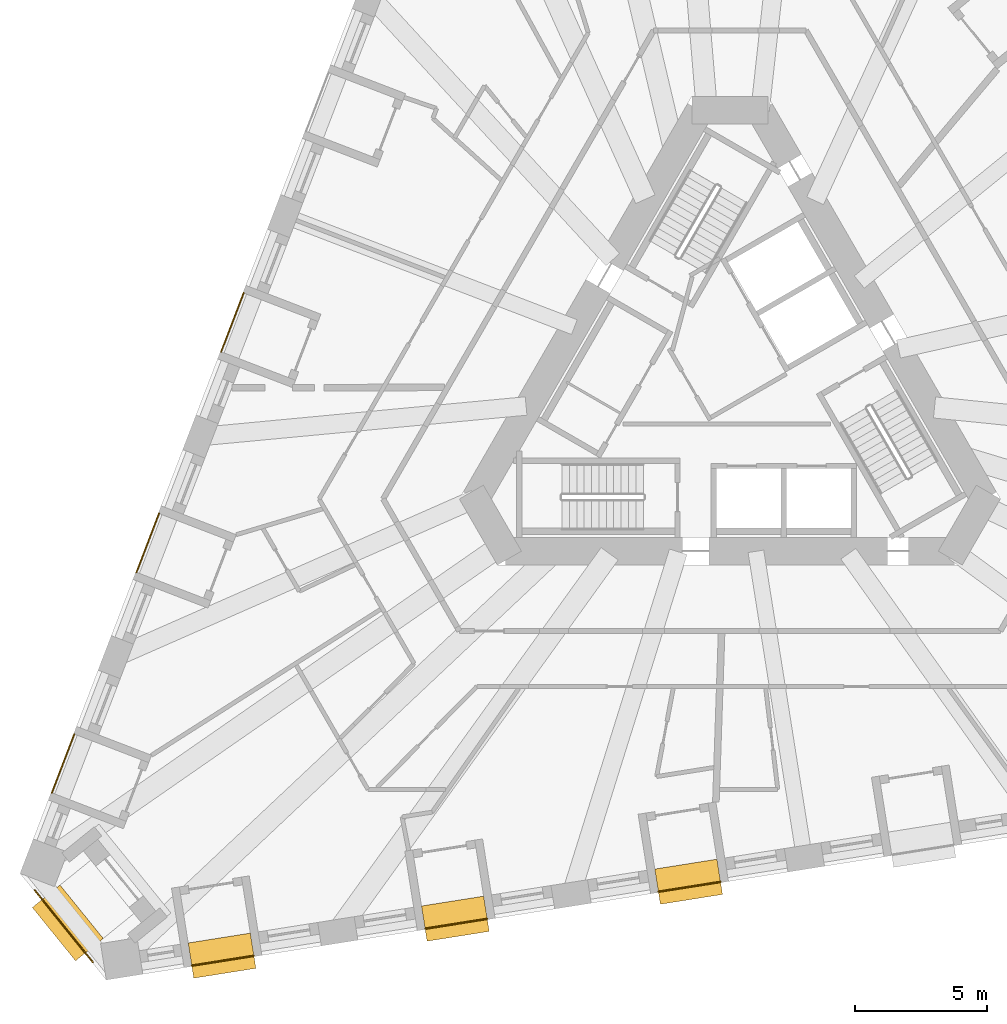
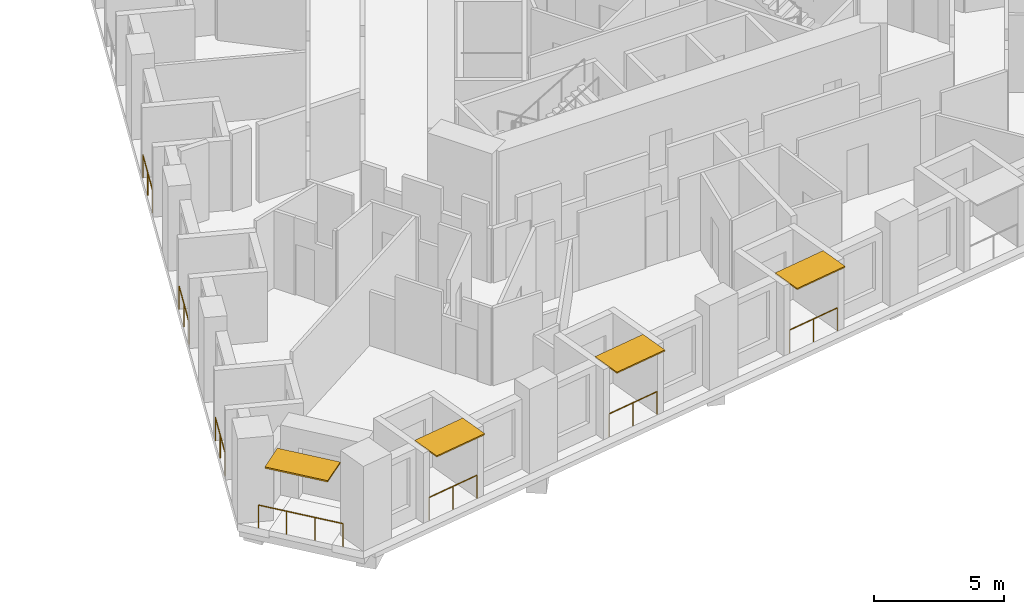
# One storey, part 11 of 14: 7 railings, 4 shading devices.
"""IFC4 building model written with IfcOpenShell, lengths in metres."""

from ifc_helpers import new_model, si_unit, direction, frame, origin, origin_2d, place, context, subcontext, project, spatial, rectangle, circle, extrude, material, layer, layer_set, type_object, element, save


model = new_model("IFC4")

# Units and contexts
model_context = context("Model", 3, precision=1e-05, world=origin(), true_north=direction((0.0, 1.0)))
body_context = subcontext(model_context, "Body", "Model", "MODEL_VIEW")
ifc_project = project(units=[si_unit("LENGTHUNIT", "METRE"), si_unit("AREAUNIT", "SQUARE_METRE"), si_unit("VOLUMEUNIT", "CUBIC_METRE"), si_unit("PLANEANGLEUNIT", "RADIAN"), si_unit("MASSUNIT", "GRAM", prefix="KILO")], contexts=[model_context])

# Site, building, storey
site_placement = place(None, origin())
site = spatial("IfcSite", under=ifc_project, at=site_placement, CompositionType="ELEMENT")
building_placement = place(site_placement, origin())
building = spatial("IfcBuilding", under=site, at=building_placement, Name="Tramontana Tower", CompositionType="ELEMENT")
storey_placement = place(building_placement, frame((0.0, 0.0, 71.199951171875)))
storey = spatial("IfcBuildingStorey", under=building, at=storey_placement, Name="L15", CompositionType="ELEMENT", Elevation=71.199951171875)

# Railings
ifc_material_1 = material(Name="Laminated glass balustrade", Category="glass")
railing_type = type_object("IfcRailingType", Name="GD1 Loggia glass balustrade 1100", PredefinedType="BALUSTRADE", material=ifc_material_1)
for number, where, name in (
    (1, (-18.419677734375, 3.55419921875, 0.0), "Loggia balustrade L15 G1S0.10"),
    (2, (-21.626708984375, -4.80029296875, 0.0), "Loggia balustrade L15 G1S0.13"),
):
    element("IfcRailing", number, at=place(storey_placement, frame(where)), inside=storey, type_object=railing_type, Name=name, PredefinedType="BALUSTRADE", context=body_context, shape_type="SweptSolid", body=[
        extrude(circle(Radius=0.02392578125, at=origin_2d()), frame((0.0, 0.0, 1.076171875), z_axis=(-0.358354292693, -0.933585668757, 0.0), x_axis=(0.933585668757, -0.358354292693, 0.0)), (0.0, 0.0, 1.0), 2.383056640625),
        extrude(circle(Radius=0.02099609375, at=origin_2d()), origin(), (0.0, 0.0, 1.0), 1.052001953125),
        extrude(circle(Radius=0.02099609375, at=origin_2d()), frame((-0.427001953125, -1.1123046875, 0.0)), (0.0, 0.0, 1.0), 1.052001953125),
        extrude(circle(Radius=0.02099609375, at=origin_2d()), frame((-0.85400390625, -2.224853515625, 0.0)), (0.0, 0.0, 1.0), 1.052001953125),
    ])
railing_1_placement = place(storey_placement, frame((-24.833740234375, -13.155029296875, 0.0)))
element("IfcRailing", 3, at=railing_1_placement, inside=storey, type_object=railing_type, Name="Loggia balustrade L15 G1S0.16", PredefinedType="BALUSTRADE", context=body_context, shape_type="SweptSolid", body=[
    extrude(circle(Radius=0.02392578125, at=origin_2d()), frame((0.0, 0.0, 1.076171875), z_axis=(-0.35838856932, -0.933572511046, 0.0), x_axis=(0.933572511046, -0.35838856932, 0.0)), (0.0, 0.0, 1.0), 2.3828125),
    extrude(circle(Radius=0.02099609375, at=origin_2d()), origin(), (0.0, 0.0, 1.0), 1.052001953125),
    extrude(circle(Radius=0.02099609375, at=origin_2d()), frame((-0.427001953125, -1.1123046875, 0.0)), (0.0, 0.0, 1.0), 1.052001953125),
    extrude(circle(Radius=0.02099609375, at=origin_2d()), frame((-0.85400390625, -2.224609375, 0.0)), (0.0, 0.0, 1.0), 1.052001953125),
])
railing_2_placement = place(storey_placement, frame((-20.38427734375, -21.9287109375, 0.0)))
element("IfcRailing", 4, at=railing_2_placement, inside=storey, type_object=railing_type, Name="Loggia balustrade L15 G1S1.1", PredefinedType="BALUSTRADE", context=body_context, shape_type="SweptSolid", body=[
    extrude(circle(Radius=0.02392578125, at=origin_2d()), frame((0.0, 0.0, 1.076171875), z_axis=(0.987685586014, 0.156451855793, 0.0), x_axis=(-0.156451855793, 0.987685586014, 0.0)), (0.0, 0.0, 1.0), 2.3828125),
    extrude(circle(Radius=0.02099609375, at=origin_2d()), origin(), (0.0, 0.0, 1.0), 1.052001953125),
    extrude(circle(Radius=0.02099609375, at=origin_2d()), frame((1.1767578125, 0.1865234375, 0.0)), (0.0, 0.0, 1.0), 1.052001953125),
    extrude(circle(Radius=0.02099609375, at=origin_2d()), frame((2.353515625, 0.372802734375, 0.0)), (0.0, 0.0, 1.0), 1.052001953125),
])
railing_3_placement = place(storey_placement, frame((-11.545654296875, -20.52880859375, 0.0)))
element("IfcRailing", 5, at=railing_3_placement, inside=storey, type_object=railing_type, Name="Loggia balustrade L15 G1S1.4", PredefinedType="BALUSTRADE", context=body_context, shape_type="SweptSolid", body=[
    extrude(circle(Radius=0.02392578125, at=origin_2d()), frame((0.0, 0.0, 1.076171875), z_axis=(0.987688093492, 0.15643602518, 0.0), x_axis=(-0.15643602518, 0.987688093492, 0.0)), (0.0, 0.0, 1.0), 2.383056640625),
    extrude(circle(Radius=0.02099609375, at=origin_2d()), origin(), (0.0, 0.0, 1.0), 1.052001953125),
    extrude(circle(Radius=0.02099609375, at=origin_2d()), frame((1.1767578125, 0.1865234375, 0.0)), (0.0, 0.0, 1.0), 1.052001953125),
    extrude(circle(Radius=0.02099609375, at=origin_2d()), frame((2.353759765625, 0.372802734375, 0.0)), (0.0, 0.0, 1.0), 1.052001953125),
])
railing_4_placement = place(storey_placement, frame((-2.706787109375, -19.12890625, 0.0)))
element("IfcRailing", 6, at=railing_4_placement, inside=storey, type_object=railing_type, Name="Loggia balustrade L15 G1S1.7", PredefinedType="BALUSTRADE", context=body_context, shape_type="SweptSolid", body=[
    extrude(circle(Radius=0.02392578125, at=origin_2d()), frame((0.0, 0.0, 1.076171875), z_axis=(0.987685586014, 0.156451855793, 0.0), x_axis=(-0.156451855793, 0.987685586014, 0.0)), (0.0, 0.0, 1.0), 2.3828125),
    extrude(circle(Radius=0.02099609375, at=origin_2d()), origin(), (0.0, 0.0, 1.0), 1.052001953125),
    extrude(circle(Radius=0.02099609375, at=origin_2d()), frame((1.1767578125, 0.1865234375, 0.0)), (0.0, 0.0, 1.0), 1.052001953125),
    extrude(circle(Radius=0.02099609375, at=origin_2d()), frame((2.353515625, 0.372802734375, 0.0)), (0.0, 0.0, 1.0), 1.052001953125),
])
railing_5_placement = place(storey_placement, frame((-24.132568359375, -21.7939453125, 0.0)))
element("IfcRailing", 7, at=railing_5_placement, inside=storey, type_object=railing_type, Name="Corner loggia balustrade L15 K11", PredefinedType="BALUSTRADE", context=body_context, shape_type="SweptSolid", body=[
    extrude(circle(Radius=0.02392578125, at=origin_2d()), frame((0.0, 0.0, 1.076171875), z_axis=(-0.629328651904, 0.777139271876, 0.0), x_axis=(-0.777139271876, -0.629328651904, 0.0)), (0.0, 0.0, 1.0), 3.5),
    extrude(circle(Radius=0.02099609375, at=origin_2d()), origin(), (0.0, 0.0, 1.0), 1.052001953125),
    extrude(circle(Radius=0.02099609375, at=origin_2d()), frame((-0.734130859375, 0.90673828125, 0.0)), (0.0, 0.0, 1.0), 1.052001953125),
    extrude(circle(Radius=0.02099609375, at=origin_2d()), frame((-1.468505859375, 1.813232421875, 0.0)), (0.0, 0.0, 1.0), 1.052001953125),
    extrude(circle(Radius=0.02099609375, at=origin_2d()), frame((-2.20263671875, 2.719970703125, 0.0)), (0.0, 0.0, 1.0), 1.052001953125),
])

# Shading devices
ifc_material_2 = material(Name="Precast concrete 60 MPa", Category="concrete")
ifc_layer_1 = layer(ifc_material_2, 0.06005859375)
ifc_layer_set_1 = layer_set([ifc_layer_1], Name="SS1 Stone sunshade blade 60")
shading_device_type_1 = type_object("IfcShadingDeviceType", Name="SS1 Stone sunshade blade 60", PredefinedType="USERDEFINED", material=ifc_layer_set_1)
for number, where, z_axis, x_axis, name in (
    (8, (-19.238037109375, -21.5498046875, 3.239990234375), (0.0, 0.0, 1.0), (0.987688340595, 0.15643446504, 0.0), "Sunshade L15 G1S1.1"),
    (9, (-10.399169921875, -20.14990234375, 3.239990234375), (0.0, 0.0, 1.0), (0.987688340595, 0.15643446504, 0.0), "Sunshade L15 G1S1.4"),
    (10, (-1.560546875, -18.75, 3.239990234375), (0.0, 0.0, 1.0), (0.987688340595, 0.15643446504, 0.0), "Sunshade L15 G1S1.7"),
):
    element("IfcShadingDevice", number, at=place(storey_placement, frame(where, z_axis=z_axis, x_axis=x_axis)), inside=storey, type_object=shading_device_type_1, Name=name, ObjectType="SUNSHADE", PredefinedType="USERDEFINED", context=body_context, shape_type="SweptSolid", body=[
        extrude(rectangle(XDim=2.383056640625, YDim=1.35009765625, at=origin_2d()), origin(), (0.0, 0.0, 1.0), 0.06005859375),
    ])
ifc_material_3 = material(Name="Precast concrete 60 MPa", Category="concrete")
ifc_layer_2 = layer(ifc_material_3, 0.070068359375)
ifc_layer_set_2 = layer_set([ifc_layer_2], Name="SS2 Stone sunshade blade 70")
shading_device_type_2 = type_object("IfcShadingDeviceType", Name="SS2 Stone sunshade blade 70", PredefinedType="USERDEFINED", material=ifc_layer_set_2)
shading_device_placement = place(storey_placement, frame((-25.082275390625, -20.311279296875, 3.22998046875), z_axis=(0.0, 0.0, 1.0), x_axis=(-0.62932039105, 0.777145961457, 0.0)))
element("IfcShadingDevice", 11, at=shading_device_placement, inside=storey, type_object=shading_device_type_2, Name="Corner sunshade L15 K11", ObjectType="SUNSHADE", PredefinedType="USERDEFINED", context=body_context, shape_type="SweptSolid", body=[
    extrude(rectangle(XDim=2.60009765625, YDim=1.35009765625, at=origin_2d()), origin(), (0.0, 0.0, 1.0), 0.070068359375),
])

save(model, "model.ifc")
